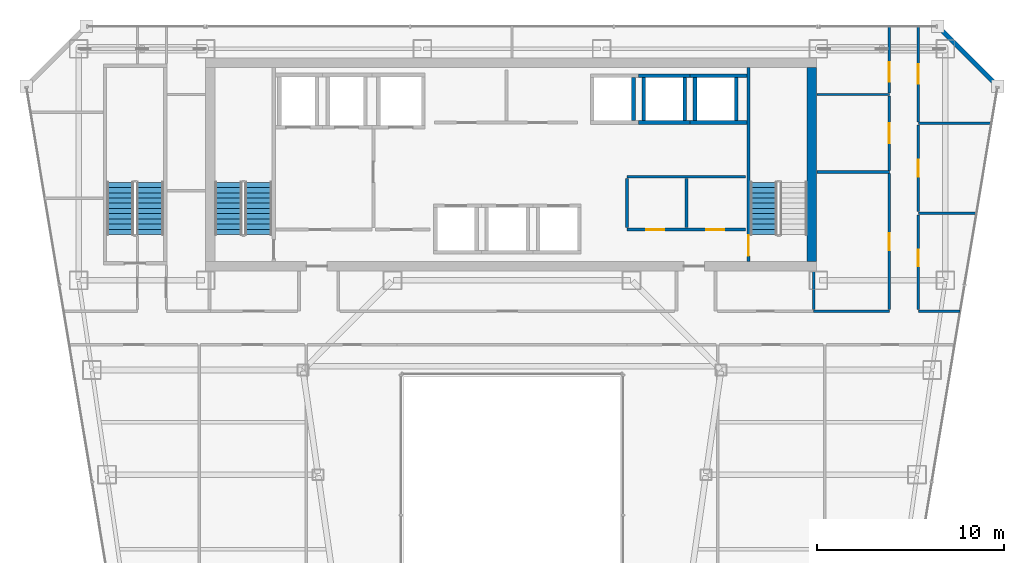
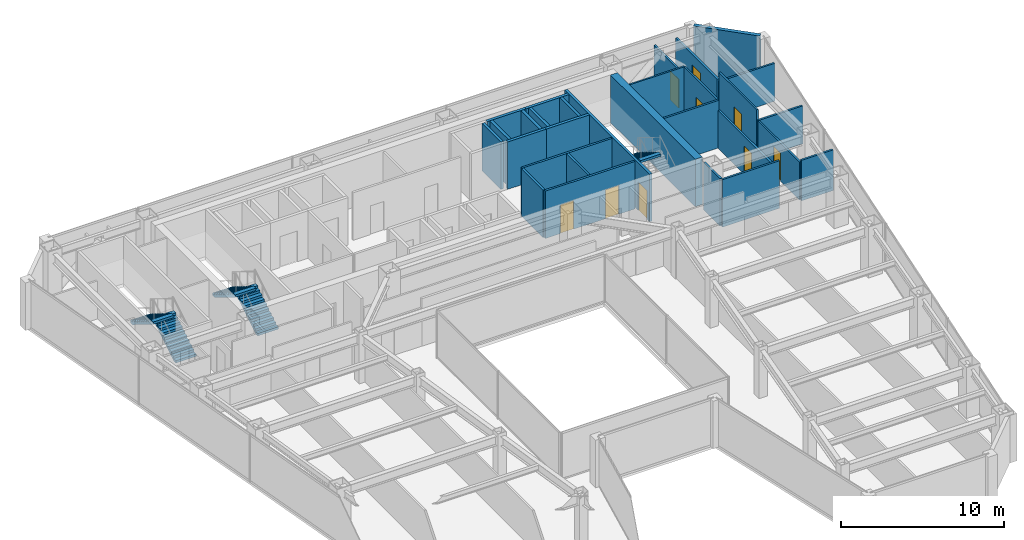
# One storey, part 34 of 38: 29 walls, 9 doors, 5 stair flights, 9 openings, 3 elements without a shape of their own.
"""IFC4 building model written with IfcOpenShell, lengths in metres."""

from ifc_helpers import new_model, si_unit, direction, frame, frame_2d, origin, place, context, subcontext, project, spatial, polyline, rectangle, outline, extrude, material, layer, layer_set, type_object, element, fill, aggregate, save


model = new_model("IFC4")

# Units and contexts
model_context = context("Model", 3, precision=1e-05, world=origin(), true_north=direction((0.0, 1.0)))
body_context = subcontext(model_context, "Body", "Model", "MODEL_VIEW")
ifc_project = project(units=[si_unit("LENGTHUNIT", "METRE"), si_unit("AREAUNIT", "SQUARE_METRE"), si_unit("VOLUMEUNIT", "CUBIC_METRE"), si_unit("PLANEANGLEUNIT", "RADIAN"), si_unit("MASSUNIT", "GRAM", prefix="KILO")], contexts=[model_context])

# Site, building, storey
site_placement = place(None, origin())
site = spatial("IfcSite", under=ifc_project, at=site_placement, CompositionType="ELEMENT")
building_placement = place(site_placement, origin())
building = spatial("IfcBuilding", under=site, at=building_placement, Name="Saevonmaru Cultural Tower", CompositionType="ELEMENT")
storey_placement = place(building_placement, frame((0.0, 0.0, 137.199951171875)))
storey = spatial("IfcBuildingStorey", under=building, at=storey_placement, Name="L29", CompositionType="ELEMENT", Elevation=137.199951171875)

# Wall
ifc_material_1 = material(Name="Concrete C60/75", Category="concrete")
ifc_layer_1 = layer(ifc_material_1, 0.5, Name="Concrete C60/75")
ifc_layer_set_1 = layer_set([ifc_layer_1], Name="Concrete C60/75")
wall_type_1 = type_object("IfcWallType", Name="WL-CORE-500", PredefinedType="SHEAR", material=ifc_layer_set_1)
wall_1_placement = place(storey_placement, frame((46.050048828125, 43.39990234375, 0.0), z_axis=(0.0, 0.0, 1.0), x_axis=(0.0, 1.0, 0.0)))
element("IfcWall", 1, at=wall_1_placement, inside=storey, type_object=wall_type_1, Name="L29 Tower RC core shear wall E", PredefinedType="SHEAR", context=body_context, shape_type="SweptSolid", body=[
    extrude(rectangle(XDim=10.400146484375, YDim=0.5, at=frame_2d((5.2001953125, 0.0))), origin(), (0.0, 0.0, 1.0), 3.550048828125),
])

# Wall, openings, doors
ifc_material_2 = material(Name="Gypsum Fireboard Partition", Category="gypsum")
ifc_layer_2 = layer(ifc_material_2, 0.14990234375, Name="Gypsum Fireboard Partition")
ifc_layer_set_2 = layer_set([ifc_layer_2], Name="Gypsum Fireboard Partition")
wall_type_2 = type_object("IfcWallType", Name="WL-CORE-PART-150", PredefinedType="PARTITIONING", material=ifc_layer_set_2)
wall_2_placement = place(storey_placement, frame((36.14990234375, 45.1201171875, 0.0), z_axis=(0.0, 0.0, 1.0), x_axis=(1.0, 0.0, 0.0)))
wall_2 = element("IfcWall", 2, at=wall_2_placement, inside=storey, type_object=wall_type_2, Name="L29 Core Cluster South Wall", PredefinedType="PARTITIONING", context=body_context, shape_type="SweptSolid", body=[
    extrude(rectangle(XDim=6.35009765625, YDim=0.14990234375, at=frame_2d((3.175048828125, 0.0))), origin(), (0.0, 0.0, 1.0), 3.550048828125),
])
opening_1_placement = place(wall_2_placement, frame((1.050048828125, 0.0, 0.0)))
opening_1 = element("IfcOpeningElement", 3, at=opening_1_placement, cuts=wall_2, Name="Opening FD-4", PredefinedType="OPENING", context=body_context, shape_type="SweptSolid", body=[
    extrude(rectangle(XDim=0.949951171875, YDim=2.14990234375, at=frame_2d((0.47509765625, 1.074951171875))), frame((0.0, 0.0849609375, 0.0), z_axis=(0.0, -1.0, 0.0), x_axis=(1.0, 0.0, 0.0)), (0.0, 0.0, 1.0), 0.169921875),
])
opening_2_placement = place(wall_2_placement, frame((4.25, 0.0, 0.0)))
opening_2 = element("IfcOpeningElement", 4, at=opening_2_placement, cuts=wall_2, Name="Opening FD-4", PredefinedType="OPENING", context=body_context, shape_type="SweptSolid", body=[
    extrude(rectangle(XDim=0.949951171875, YDim=2.14990234375, at=frame_2d((0.47509765625, 1.074951171875))), frame((0.0, 0.0849609375, 0.0), z_axis=(0.0, -1.0, 0.0), x_axis=(1.0, 0.0, 0.0)), (0.0, 0.0, 1.0), 0.169921875),
])
ifc_material_3 = material(Name="Satin Bronze Anodised Aluminium", Category="aluminium")
door_type_1 = type_object("IfcDoorType", Name="DR-FD60-950", OperationType="SINGLE_SWING_LEFT", PredefinedType="DOOR", material=ifc_material_3)
door_1_placement = place(opening_1_placement, origin())
door_1 = element("IfcDoor", 5, at=door_1_placement, inside=storey, type_object=door_type_1, Name="L29 BMS Control Room Door", OperationType="SINGLE_SWING_LEFT", OverallHeight=2.14990234375, OverallWidth=0.949951171875, PredefinedType="DOOR", context=body_context, shape_type="SweptSolid", body=[
    extrude(rectangle(XDim=0.949951171875, YDim=2.14990234375, at=frame_2d((0.47509765625, 1.074951171875))), frame((0.0, 0.02490234375, 0.0), z_axis=(0.0, -1.0, 0.0), x_axis=(1.0, 0.0, 0.0)), (0.0, 0.0, 1.0), 0.050048828125),
])
fill(opening_1, door_1)
door_2_placement = place(opening_2_placement, origin())
door_2 = element("IfcDoor", 6, at=door_2_placement, inside=storey, type_object=door_type_1, Name="L29 Fibre Node Plant Door", OperationType="SINGLE_SWING_LEFT", OverallHeight=2.14990234375, OverallWidth=0.949951171875, PredefinedType="DOOR", context=body_context, shape_type="SweptSolid", body=[
    extrude(rectangle(XDim=0.949951171875, YDim=2.14990234375, at=frame_2d((0.47509765625, 1.074951171875))), frame((0.0, 0.02490234375, 0.0), z_axis=(0.0, -1.0, 0.0), x_axis=(1.0, 0.0, 0.0)), (0.0, 0.0, 1.0), 0.050048828125),
])
fill(opening_2, door_2)

# Walls
wall_3_placement = place(storey_placement, frame((36.14990234375, 47.949951171875, 0.0), z_axis=(0.0, 0.0, 1.0), x_axis=(1.0, 0.0, 0.0)))
element("IfcWall", 7, at=wall_3_placement, inside=storey, type_object=wall_type_2, Name="L29 Core Cluster North Wall", PredefinedType="PARTITIONING", context=body_context, shape_type="SweptSolid", body=[
    extrude(rectangle(XDim=6.35009765625, YDim=0.14990234375, at=frame_2d((3.175048828125, 0.0))), origin(), (0.0, 0.0, 1.0), 3.550048828125),
])
for number, where, z_axis, x_axis, name in (
    (8, (36.14990234375, 45.219970703125, 0.0), (0.0, 0.0, 1.0), (0.0, 1.0, 0.0), "L29 Core Cluster West Wall"),
    (9, (39.35009765625, 45.219970703125, 0.0), (0.0, 0.0, 1.0), (0.0, 1.0, 0.0), "L29 Core Cluster Inner Split"),
):
    element("IfcWall", number, at=place(storey_placement, frame(where, z_axis=z_axis, x_axis=x_axis)), inside=storey, type_object=wall_type_2, Name=name, PredefinedType="PARTITIONING", context=body_context, shape_type="SweptSolid", body=[
        extrude(rectangle(XDim=2.630126953125, YDim=0.14990234375, at=frame_2d((1.31494140625, 0.0))), origin(), (0.0, 0.0, 1.0), 3.550048828125),
    ])
ifc_material_4 = material(Name="Granite-Clad Precast Concrete C40/50", Category="masonry")
ifc_layer_3 = layer(ifc_material_4, 0.260009765625, Name="Granite-Clad Precast Concrete C40/50")
ifc_layer_set_3 = layer_set([ifc_layer_3], Name="Granite-Clad Precast Concrete C40/50")
wall_type_3 = type_object("IfcWallType", Name="WL-EXT-SPANDREL-260", PredefinedType="STANDARD", material=ifc_layer_set_3)
wall_4_placement = place(storey_placement, frame((55.886962890625, 52.9130859375, 0.0), z_axis=(0.0, 0.0, 1.0), x_axis=(-0.707106781187, 0.707106781187, 0.0)))
element("IfcWall", 10, at=wall_4_placement, inside=storey, type_object=wall_type_3, Name="L29 Chamfer Corner Spandrel Wall E9", PredefinedType="STANDARD", context=body_context, shape_type="SweptSolid", body=[
    extrude(rectangle(XDim=4.205810546875, YDim=0.260009765625, at=frame_2d((2.10302734375, 0.0))), origin(), (0.0, 0.0, 1.0), 3.550048828125),
])

# Wall, opening, door
ifc_layer_4 = layer(ifc_material_2, 0.14990234375, Name="Gypsum Fireboard Partition")
ifc_layer_set_4 = layer_set([ifc_layer_4], Name="Gypsum Fireboard Partition")
wall_type_4 = type_object("IfcWallType", Name="WL-PART-FIRE-150", PredefinedType="PARTITIONING", material=ifc_layer_set_4)
wall_5_placement = place(storey_placement, frame((51.75, 50.887451171875, 0.0), z_axis=(0.0, 0.0, 1.0), x_axis=(0.0, 1.0, 0.0)))
wall_5 = element("IfcWall", 11, at=wall_5_placement, inside=storey, type_object=wall_type_4, Name="L29 East Asian Ceramics Gallery Corridor Wall", PredefinedType="PARTITIONING", context=body_context, shape_type="SweptSolid", body=[
    extrude(rectangle(XDim=5.107666015625, YDim=0.14990234375, at=frame_2d((2.5537109375, 0.0))), origin(), (0.0, 0.0, 1.0), 2.93505859375),
])
opening_3_placement = place(wall_5_placement, frame((2.029052734375, 0.0, 0.0)))
opening_3 = element("IfcOpeningElement", 12, at=opening_3_placement, cuts=wall_5, Name="Opening ID-1", PredefinedType="OPENING", context=body_context, shape_type="SweptSolid", body=[
    extrude(rectangle(XDim=1.050048828125, YDim=2.14990234375, at=frame_2d((0.52490234375, 1.074951171875))), frame((0.0, 0.0849609375, 0.0), z_axis=(0.0, -1.0, 0.0), x_axis=(1.0, 0.0, 0.0)), (0.0, 0.0, 1.0), 0.169921875),
])
door_type_2 = type_object("IfcDoorType", Name="DR-INT-1050", OperationType="SINGLE_SWING_LEFT", PredefinedType="DOOR", material=ifc_material_3)
door_3_placement = place(opening_3_placement, origin())
door_3 = element("IfcDoor", 13, at=door_3_placement, inside=storey, type_object=door_type_2, Name="L29 East Asian Ceramics Gallery Door", OperationType="SINGLE_SWING_LEFT", OverallHeight=2.14990234375, OverallWidth=1.050048828125, PredefinedType="DOOR", context=body_context, shape_type="SweptSolid", body=[
    extrude(rectangle(XDim=1.050048828125, YDim=2.14990234375, at=frame_2d((0.52490234375, 1.074951171875))), frame((0.0, 0.02490234375, 0.0), z_axis=(0.0, -1.0, 0.0), x_axis=(1.0, 0.0, 0.0)), (0.0, 0.0, 1.0), 0.050048828125),
])
fill(opening_3, door_3)

# Wall
ifc_layer_5 = layer(ifc_material_2, 0.1201171875, Name="Gypsum Fireboard Partition")
ifc_layer_set_5 = layer_set([ifc_layer_5], Name="Gypsum Fireboard Partition")
wall_type_5 = type_object("IfcWallType", Name="WL-PART-GYP-120", PredefinedType="PARTITIONING", material=ifc_layer_set_5)
wall_6_placement = place(storey_placement, frame((46.320068359375, 52.35009765625, 0.0), z_axis=(0.0, 0.0, 1.0), x_axis=(1.0, 0.0, 0.0)))
element("IfcWall", 14, at=wall_6_placement, inside=storey, type_object=wall_type_5, Name="L29 North-East Panorama South Wall", PredefinedType="PARTITIONING", context=body_context, shape_type="SweptSolid", body=[
    extrude(rectangle(XDim=3.8798828125, YDim=0.1201171875, at=frame_2d((1.93994140625, 0.0))), origin(), (0.0, 0.0, 1.0), 3.550048828125),
])

# Wall, opening, door
wall_7_placement = place(storey_placement, frame((50.199951171875, 48.2900390625, 0.0), z_axis=(0.0, 0.0, 1.0), x_axis=(0.0, 1.0, 0.0)))
wall_7 = element("IfcWall", 15, at=wall_7_placement, inside=storey, type_object=wall_type_5, Name="L29 Rare Folio Reading Room Corridor Wall", PredefinedType="PARTITIONING", context=body_context, shape_type="SweptSolid", body=[
    extrude(rectangle(XDim=3.97998046875, YDim=0.1201171875, at=frame_2d((1.989990234375, 0.0))), origin(), (0.0, 0.0, 1.0), 3.550048828125),
])
opening_4_placement = place(wall_7_placement, frame((1.465087890625, 0.0, 0.0)))
opening_4 = element("IfcOpeningElement", 16, at=opening_4_placement, cuts=wall_7, Name="Opening ID-1", PredefinedType="OPENING", context=body_context, shape_type="SweptSolid", body=[
    extrude(rectangle(XDim=1.050048828125, YDim=2.14990234375, at=frame_2d((0.52490234375, 1.074951171875))), frame((0.0, 0.070068359375, 0.0), z_axis=(0.0, -1.0, 0.0), x_axis=(1.0, 0.0, 0.0)), (0.0, 0.0, 1.0), 0.14013671875),
])
door_4_placement = place(opening_4_placement, origin())
door_4 = element("IfcDoor", 17, at=door_4_placement, inside=storey, type_object=door_type_2, Name="L29 Rare Folio Reading Room Door", OperationType="SINGLE_SWING_LEFT", OverallHeight=2.14990234375, OverallWidth=1.050048828125, PredefinedType="DOOR", context=body_context, shape_type="SweptSolid", body=[
    extrude(rectangle(XDim=1.050048828125, YDim=2.14990234375, at=frame_2d((0.52490234375, 1.074951171875))), frame((0.0, 0.02490234375, 0.0), z_axis=(0.0, -1.0, 0.0), x_axis=(1.0, 0.0, 0.0)), (0.0, 0.0, 1.0), 0.050048828125),
])
fill(opening_4, door_4)

wall_8_placement = place(storey_placement, frame((50.199951171875, 52.429931640625, 0.0), z_axis=(0.0, 0.0, 1.0), x_axis=(0.0, 1.0, 0.0)))
wall_8 = element("IfcWall", 18, at=wall_8_placement, inside=storey, type_object=wall_type_5, Name="L29 Art History Reading Room Corridor Wall", PredefinedType="PARTITIONING", context=body_context, shape_type="SweptSolid", body=[
    extrude(rectangle(XDim=3.565185546875, YDim=0.1201171875, at=frame_2d((1.78271484375, 0.0))), origin(), (0.0, 0.0, 1.0), 2.93505859375),
])
opening_5_placement = place(wall_8_placement, frame((0.596923828125, 0.0, 0.0)))
opening_5 = element("IfcOpeningElement", 19, at=opening_5_placement, cuts=wall_8, Name="Opening ID-1", PredefinedType="OPENING", context=body_context, shape_type="SweptSolid", body=[
    extrude(rectangle(XDim=1.050048828125, YDim=2.14990234375, at=frame_2d((0.52490234375, 1.074951171875))), frame((0.0, 0.070068359375, 0.0), z_axis=(0.0, -1.0, 0.0), x_axis=(1.0, 0.0, 0.0)), (0.0, 0.0, 1.0), 0.14013671875),
])
door_5_placement = place(opening_5_placement, origin())
door_5 = element("IfcDoor", 20, at=door_5_placement, inside=storey, type_object=door_type_2, Name="L29 Art History Reading Room Door", OperationType="SINGLE_SWING_RIGHT", OverallHeight=2.14990234375, OverallWidth=1.050048828125, PredefinedType="DOOR", context=body_context, shape_type="SweptSolid", body=[
    extrude(rectangle(XDim=1.050048828125, YDim=2.14990234375, at=frame_2d((0.52490234375, 1.074951171875))), frame((0.0, 0.02490234375, 0.0), z_axis=(0.0, -1.0, 0.0), x_axis=(1.0, 0.0, 0.0)), (0.0, 0.0, 1.0), 0.050048828125),
])
fill(opening_5, door_5)

wall_9_placement = place(storey_placement, frame((51.75, 40.83740234375, 0.0), z_axis=(0.0, 0.0, 1.0), x_axis=(0.0, 1.0, 0.0)))
wall_9 = element("IfcWall", 21, at=wall_9_placement, inside=storey, type_object=wall_type_5, Name="L29 Calligraphy Teaching Studio Corridor Wall", PredefinedType="PARTITIONING", context=body_context, shape_type="SweptSolid", body=[
    extrude(rectangle(XDim=5.0751953125, YDim=0.1201171875, at=frame_2d((2.53759765625, 0.0))), origin(), (0.0, 0.0, 1.0), 2.8349609375),
])
opening_6_placement = place(wall_9_placement, frame((2.30810546875, 0.0, 0.0)))
opening_6 = element("IfcOpeningElement", 22, at=opening_6_placement, cuts=wall_9, Name="Opening ID-2", PredefinedType="OPENING", context=body_context, shape_type="SweptSolid", body=[
    extrude(rectangle(XDim=0.89990234375, YDim=2.10009765625, at=frame_2d((0.449951171875, 1.050048828125))), frame((0.0, 0.070068359375, 0.0), z_axis=(0.0, -1.0, 0.0), x_axis=(1.0, 0.0, 0.0)), (0.0, 0.0, 1.0), 0.14013671875),
])
ifc_material_5 = material(Name="Acoustic Stained Oak Timber", Category="wood")
door_type_3 = type_object("IfcDoorType", Name="DR-INT-900", OperationType="SINGLE_SWING_RIGHT", PredefinedType="DOOR", material=ifc_material_5)
door_6_placement = place(opening_6_placement, origin())
door_6 = element("IfcDoor", 23, at=door_6_placement, inside=storey, type_object=door_type_3, Name="L29 Calligraphy Teaching Studio Door", OperationType="SINGLE_SWING_LEFT", OverallHeight=2.10009765625, OverallWidth=0.89990234375, PredefinedType="DOOR", context=body_context, shape_type="SweptSolid", body=[
    extrude(rectangle(XDim=0.89990234375, YDim=2.10009765625, at=frame_2d((0.449951171875, 1.050048828125))), frame((0.0, 0.02490234375, 0.0), z_axis=(0.0, -1.0, 0.0), x_axis=(1.0, 0.0, 0.0)), (0.0, 0.0, 1.0), 0.050048828125),
])
fill(opening_6, door_6)

wall_10_placement = place(storey_placement, frame((51.75, 46.08740234375, 0.0), z_axis=(0.0, 0.0, 1.0), x_axis=(0.0, 1.0, 0.0)))
wall_10 = element("IfcWall", 24, at=wall_10_placement, inside=storey, type_object=wall_type_5, Name="L29 Curatorial Board Meeting Room Corridor Wall", PredefinedType="PARTITIONING", context=body_context, shape_type="SweptSolid", body=[
    extrude(rectangle(XDim=4.625, YDim=0.1201171875, at=frame_2d((2.3125, 0.0))), origin(), (0.0, 0.0, 1.0), 3.550048828125),
])
opening_7_placement = place(wall_10_placement, frame((1.863037109375, 0.0, 0.0)))
opening_7 = element("IfcOpeningElement", 25, at=opening_7_placement, cuts=wall_10, Name="Opening ID-2", PredefinedType="OPENING", context=body_context, shape_type="SweptSolid", body=[
    extrude(rectangle(XDim=0.89990234375, YDim=2.10009765625, at=frame_2d((0.449951171875, 1.050048828125))), frame((0.0, 0.070068359375, 0.0), z_axis=(0.0, -1.0, 0.0), x_axis=(1.0, 0.0, 0.0)), (0.0, 0.0, 1.0), 0.14013671875),
])
door_7_placement = place(opening_7_placement, origin())
door_7 = element("IfcDoor", 26, at=door_7_placement, inside=storey, type_object=door_type_3, Name="L29 Curatorial Board Meeting Room Door", OperationType="SINGLE_SWING_RIGHT", OverallHeight=2.10009765625, OverallWidth=0.89990234375, PredefinedType="DOOR", context=body_context, shape_type="SweptSolid", body=[
    extrude(rectangle(XDim=0.89990234375, YDim=2.10009765625, at=frame_2d((0.449951171875, 1.050048828125))), frame((0.0, 0.02490234375, 0.0), z_axis=(0.0, -1.0, 0.0), x_axis=(1.0, 0.0, 0.0)), (0.0, 0.0, 1.0), 0.050048828125),
])
fill(opening_7, door_7)

# Walls
ifc_layer_6 = layer(ifc_material_2, 0.135009765625, Name="Gypsum Fireboard Partition")
ifc_layer_set_6 = layer_set([ifc_layer_6], Name="Gypsum Fireboard Partition")
wall_type_6 = type_object("IfcWallType", Name="WL-PART-GYP-135", PredefinedType="PARTITIONING", material=ifc_layer_set_6)
wall_11_placement = place(storey_placement, frame((51.75, 40.75, 0.0), z_axis=(0.0, 0.0, 1.0), x_axis=(1.0, 0.0, 0.0)))
element("IfcWall", 27, at=wall_11_placement, inside=storey, type_object=wall_type_6, Name="L29 NE Wing South Wall", PredefinedType="PARTITIONING", context=body_context, shape_type="SweptSolid", body=[
    extrude(rectangle(XDim=2.24169921875, YDim=0.135009765625, at=frame_2d((1.120849609375, 0.0))), origin(), (0.0, 0.0, 1.0), 3.03515625),
])
wall_12_placement = place(storey_placement, frame((51.75, 46.0, 0.0), z_axis=(0.0, 0.0, 1.0), x_axis=(1.0, 0.0, 0.0)))
element("IfcWall", 28, at=wall_12_placement, inside=storey, type_object=wall_type_6, Name="L29 NE Studio Divider 1", PredefinedType="PARTITIONING", context=body_context, shape_type="SweptSolid", body=[
    extrude(rectangle(XDim=3.114501953125, YDim=0.135009765625, at=frame_2d((1.55712890625, 0.0))), origin(), (0.0, 0.0, 1.0), 2.8349609375),
])
wall_13_placement = place(storey_placement, frame((51.75, 50.800048828125, 0.0), z_axis=(0.0, 0.0, 1.0), x_axis=(1.0, 0.0, 0.0)))
element("IfcWall", 29, at=wall_13_placement, inside=storey, type_object=wall_type_6, Name="L29 NE Studio Divider 2", PredefinedType="PARTITIONING", context=body_context, shape_type="SweptSolid", body=[
    extrude(rectangle(XDim=3.912353515625, YDim=0.135009765625, at=frame_2d((1.9560546875, 0.0))), origin(), (0.0, 0.0, 1.0), 2.8349609375),
])
ifc_layer_7 = layer(ifc_material_2, 0.139892578125, Name="Gypsum Fireboard Partition")
ifc_layer_set_7 = layer_set([ifc_layer_7], Name="Gypsum Fireboard Partition")
wall_type_7 = type_object("IfcWallType", Name="WL-PART-WET-140", PredefinedType="PARTITIONING", material=ifc_layer_set_7)
wall_14_placement = place(storey_placement, frame((46.14990234375, 40.75, 0.0), z_axis=(0.0, 0.0, 1.0), x_axis=(1.0, 0.0, 0.0)))
element("IfcWall", 30, at=wall_14_placement, inside=storey, type_object=wall_type_7, Name="L29 Washroom South Wall", PredefinedType="PARTITIONING", context=body_context, shape_type="SweptSolid", body=[
    extrude(rectangle(XDim=4.050048828125, YDim=0.139892578125, at=frame_2d((2.02490234375, 0.0))), origin(), (0.0, 0.0, 1.0), 3.550048828125),
])
wall_15_placement = place(storey_placement, frame((46.14990234375, 40.840087890625, 0.0), z_axis=(0.0, 0.0, 1.0), x_axis=(0.0, 1.0, 0.0)))
element("IfcWall", 31, at=wall_15_placement, inside=storey, type_object=wall_type_7, Name="L29 Washroom South-West Return", PredefinedType="PARTITIONING", context=body_context, shape_type="SweptSolid", body=[
    extrude(rectangle(XDim=2.039794921875, YDim=0.139892578125, at=frame_2d((1.02001953125, 0.0))), origin(), (0.0, 0.0, 1.0), 3.550048828125),
])
wall_16_placement = place(storey_placement, frame((46.320068359375, 48.199951171875, 0.0), z_axis=(0.0, 0.0, 1.0), x_axis=(1.0, 0.0, 0.0)))
element("IfcWall", 32, at=wall_16_placement, inside=storey, type_object=wall_type_7, Name="L29 Washroom North Wall", PredefinedType="PARTITIONING", context=body_context, shape_type="SweptSolid", body=[
    extrude(rectangle(XDim=3.8798828125, YDim=0.139892578125, at=frame_2d((1.93994140625, 0.0))), origin(), (0.0, 0.0, 1.0), 3.550048828125),
])

# Wall, opening, door
wall_17_placement = place(storey_placement, frame((50.199951171875, 40.840087890625, 0.0), z_axis=(0.0, 0.0, 1.0), x_axis=(0.0, 1.0, 0.0)))
wall_17 = element("IfcWall", 33, at=wall_17_placement, inside=storey, type_object=wall_type_7, Name="L29 Washroom Corridor Wall", PredefinedType="PARTITIONING", context=body_context, shape_type="SweptSolid", body=[
    extrude(rectangle(XDim=7.27001953125, YDim=0.139892578125, at=frame_2d((3.635009765625, 0.0))), origin(), (0.0, 0.0, 1.0), 2.8349609375),
])
opening_8_placement = place(wall_17_placement, frame((3.18505859375, 0.0, 0.0)))
opening_8 = element("IfcOpeningElement", 34, at=opening_8_placement, cuts=wall_17, Name="Opening ID-2", PredefinedType="OPENING", context=body_context, shape_type="SweptSolid", body=[
    extrude(rectangle(XDim=0.89990234375, YDim=2.10009765625, at=frame_2d((0.449951171875, 1.050048828125))), frame((0.0, 0.080078125, 0.0), z_axis=(0.0, -1.0, 0.0), x_axis=(1.0, 0.0, 0.0)), (0.0, 0.0, 1.0), 0.159912109375),
])
door_8_placement = place(opening_8_placement, origin())
door_8 = element("IfcDoor", 35, at=door_8_placement, inside=storey, type_object=door_type_3, Name="L29 Public Accessible Washrooms Door", OperationType="SINGLE_SWING_RIGHT", OverallHeight=2.10009765625, OverallWidth=0.89990234375, PredefinedType="DOOR", context=body_context, shape_type="SweptSolid", body=[
    extrude(rectangle(XDim=0.89990234375, YDim=2.10009765625, at=frame_2d((0.449951171875, 1.050048828125))), frame((0.0, 0.02490234375, 0.0), z_axis=(0.0, -1.0, 0.0), x_axis=(1.0, 0.0, 0.0)), (0.0, 0.0, 1.0), 0.050048828125),
])
fill(opening_8, door_8)

# Walls
ifc_material_6 = material(Name="Concrete C40/50", Category="concrete")
ifc_layer_8 = layer(ifc_material_6, 0.199951171875, Name="Concrete C40/50")
ifc_layer_set_8 = layer_set([ifc_layer_8], Name="Concrete C40/50")
wall_type_8 = type_object("IfcWallType", Name="WL-SHAFT-200", PredefinedType="SHEAR", material=ifc_layer_set_8)
wall_18_placement = place(storey_placement, frame((36.5, 50.949951171875, 0.0), z_axis=(0.0, 0.0, 1.0), x_axis=(0.0, 1.0, 0.0)))
element("IfcWall", 36, at=wall_18_placement, inside=storey, type_object=wall_type_8, Name="L29 Lift PL-H1 Hoistway Wall E", PredefinedType="SHEAR", context=body_context, shape_type="SweptSolid", body=[
    extrude(rectangle(XDim=2.300048828125, YDim=0.199951171875, at=frame_2d((1.14990234375, 0.0))), origin(), (0.0, 0.0, 1.0), 3.550048828125),
])
for number, where, z_axis, x_axis, name in (
    (37, (36.77490234375, 50.85009765625, 0.0), (0.0, 0.0, 1.0), (1.0, 0.0, 0.0), "L29 Lift PL-H2 Hoistway Wall S"),
    (38, (36.77490234375, 53.35009765625, 0.0), (0.0, 0.0, 1.0), (1.0, 0.0, 0.0), "L29 Lift PL-H2 Hoistway Wall N"),
):
    element("IfcWall", number, at=place(storey_placement, frame(where, z_axis=z_axis, x_axis=x_axis)), inside=storey, type_object=wall_type_8, Name=name, PredefinedType="SHEAR", context=body_context, shape_type="SweptSolid", body=[
        extrude(rectangle(XDim=2.75, YDim=0.199951171875, at=frame_2d((1.375, 0.0))), origin(), (0.0, 0.0, 1.0), 3.550048828125),
    ])
for number, where, z_axis, x_axis, name in (
    (39, (37.050048828125, 50.949951171875, 0.0), (0.0, 0.0, 1.0), (0.0, 1.0, 0.0), "L29 Lift PL-H2 Hoistway Wall W"),
    (40, (39.25, 50.949951171875, 0.0), (0.0, 0.0, 1.0), (0.0, 1.0, 0.0), "L29 Lift PL-H2 Hoistway Wall E"),
):
    element("IfcWall", number, at=place(storey_placement, frame(where, z_axis=z_axis, x_axis=x_axis)), inside=storey, type_object=wall_type_8, Name=name, PredefinedType="SHEAR", context=body_context, shape_type="SweptSolid", body=[
        extrude(rectangle(XDim=2.300048828125, YDim=0.199951171875, at=frame_2d((1.14990234375, 0.0))), origin(), (0.0, 0.0, 1.0), 3.550048828125),
    ])
for number, where, z_axis, x_axis, name in (
    (41, (39.52490234375, 50.85009765625, 0.0), (0.0, 0.0, 1.0), (1.0, 0.0, 0.0), "L29 Lift PL-H3 Hoistway Wall S"),
    (42, (39.52490234375, 53.35009765625, 0.0), (0.0, 0.0, 1.0), (1.0, 0.0, 0.0), "L29 Lift PL-H3 Hoistway Wall N"),
):
    element("IfcWall", number, at=place(storey_placement, frame(where, z_axis=z_axis, x_axis=x_axis)), inside=storey, type_object=wall_type_8, Name=name, PredefinedType="SHEAR", context=body_context, shape_type="SweptSolid", body=[
        extrude(rectangle(XDim=3.045166015625, YDim=0.199951171875, at=frame_2d((1.5224609375, 0.0))), origin(), (0.0, 0.0, 1.0), 3.550048828125),
    ])
for number, where, z_axis, x_axis, name in (
    (43, (39.800048828125, 50.949951171875, 0.0), (0.0, 0.0, 1.0), (0.0, 1.0, 0.0), "L29 Lift PL-H3 Hoistway Wall W"),
    (44, (42.0, 50.949951171875, 0.0), (0.0, 0.0, 1.0), (0.0, 1.0, 0.0), "L29 Lift PL-H3 Hoistway Wall E"),
):
    element("IfcWall", number, at=place(storey_placement, frame(where, z_axis=z_axis, x_axis=x_axis)), inside=storey, type_object=wall_type_8, Name=name, PredefinedType="SHEAR", context=body_context, shape_type="SweptSolid", body=[
        extrude(rectangle(XDim=2.300048828125, YDim=0.199951171875, at=frame_2d((1.14990234375, 0.0))), origin(), (0.0, 0.0, 1.0), 3.550048828125),
    ])

# Wall, opening, door
ifc_layer_9 = layer(ifc_material_6, 0.179931640625, Name="Concrete C40/50")
ifc_layer_set_9 = layer_set([ifc_layer_9], Name="Concrete C40/50")
wall_type_9 = type_object("IfcWallType", Name="WL-STSHAFT-180", PredefinedType="SHEAR", material=ifc_layer_set_9)
wall_19_placement = place(storey_placement, frame((42.659912109375, 53.800048828125, 0.0), z_axis=(0.0, 0.0, 1.0), x_axis=(0.0, -1.0, 0.0)))
wall_19 = element("IfcWall", 45, at=wall_19_placement, inside=storey, type_object=wall_type_9, Name="L29 Stair ST-2 Structural Shaft Wall 1", PredefinedType="SHEAR", context=body_context, shape_type="SweptSolid", body=[
    extrude(rectangle(XDim=10.400146484375, YDim=0.179931640625, at=frame_2d((5.2001953125, 0.0))), origin(), (0.0, 0.0, 1.0), 3.550048828125),
])
opening_9_placement = place(wall_19_placement, frame((8.989990234375, 0.0, 0.0)))
opening_9 = element("IfcOpeningElement", 46, at=opening_9_placement, cuts=wall_19, Name="Opening FD-2", PredefinedType="OPENING", context=body_context, shape_type="SweptSolid", body=[
    extrude(rectangle(XDim=1.10009765625, YDim=2.14990234375, at=frame_2d((0.550048828125, 1.074951171875))), frame((0.0, 0.10009765625, 0.0), z_axis=(0.0, -1.0, 0.0), x_axis=(1.0, 0.0, 0.0)), (0.0, 0.0, 1.0), 0.199951171875),
])
door_type_4 = type_object("IfcDoorType", Name="DR-FD60-1100", OperationType="SINGLE_SWING_LEFT", PredefinedType="DOOR", material=ifc_material_3)
door_9_placement = place(opening_9_placement, origin())
door_9 = element("IfcDoor", 47, at=door_9_placement, inside=storey, type_object=door_type_4, Name="L29 Protected Stair ST-2 Fire Door", OperationType="SINGLE_SWING_LEFT", OverallHeight=2.14990234375, OverallWidth=1.10009765625, PredefinedType="DOOR", context=body_context, shape_type="SweptSolid", body=[
    extrude(rectangle(XDim=1.10009765625, YDim=2.14990234375, at=frame_2d((0.550048828125, 1.074951171875))), frame((0.0, 0.02490234375, 0.0), z_axis=(0.0, -1.0, 0.0), x_axis=(1.0, 0.0, 0.0)), (0.0, 0.0, 1.0), 0.050048828125),
])
fill(opening_9, door_9)

# Stair, stair flights
stair_type = type_object("IfcStairType", Name="STR-DOGLEG-RC", PredefinedType="HALF_TURN_STAIR", material=ifc_material_6)
stair_1_placement = place(storey_placement, origin())
stair_1 = element("IfcStair", 48, at=stair_1_placement, inside=storey, type_object=stair_type, Name="L29 Protected exit stair ST-1", PredefinedType="HALF_TURN_STAIR")
ifc_material_7 = material(Name="Precast concrete C40/50", Category="concrete")
stair_flight_type = type_object("IfcStairFlightType", Name="STF-PRECAST-180", PredefinedType="STRAIGHT", material=ifc_material_7)
stair_flight_1_placement = place(storey_placement, frame((16.425048828125, 44.85009765625, 0.0), z_axis=(0.0, 0.0, 1.0), x_axis=(0.0, 1.0, 0.0)))
stair_flight_1 = element("IfcStairFlight", 49, at=stair_flight_1_placement, type_object=stair_flight_type, Name="ST-1-L29 flight 1", NumberOfRisers=11, NumberOfTreads=10, PredefinedType="STRAIGHT", RiserHeight=0.172727273, TreadLength=0.28, context=body_context, shape_type="SweptSolid", body=[
    extrude(outline(polyline([(0.0, 0.0), (0.0, 0.172607421875), (0.280029296875, 0.172607421875), (0.280029296875, 0.345458984375), (0.56005859375, 0.345458984375), (0.56005859375, 0.51806640625), (0.840087890625, 0.51806640625), (0.840087890625, 0.69091796875), (1.1201171875, 0.69091796875), (1.1201171875, 0.863525390625), (1.39990234375, 0.863525390625), (1.39990234375, 1.036376953125), (1.679931640625, 1.036376953125), (1.679931640625, 1.208984375), (1.9599609375, 1.208984375), (1.9599609375, 1.3818359375), (2.239990234375, 1.3818359375), (2.239990234375, 1.554443359375), (2.52001953125, 1.554443359375), (2.52001953125, 1.727294921875), (2.800048828125, 1.727294921875), (2.800048828125, 1.89990234375), (2.800048828125, 1.551025390625), (0.285400390625, 0.0), (0.0, 0.0)])), frame((0.0, 0.72509765625, 0.0), z_axis=(0.0, -1.0, 0.0), x_axis=(1.0, 0.0, 0.0)), (0.0, 0.0, 1.0), 1.449951171875),
])
stair_flight_2_placement = place(storey_placement, frame((14.824951171875, 47.64990234375, 1.900146484375), z_axis=(0.0, 0.0, 1.0), x_axis=(0.0, -1.0, 0.0)))
stair_flight_2 = element("IfcStairFlight", 50, at=stair_flight_2_placement, type_object=stair_flight_type, Name="ST-1-L29 flight 2", NumberOfRisers=11, NumberOfTreads=10, PredefinedType="STRAIGHT", RiserHeight=0.172727273, TreadLength=0.28, context=body_context, shape_type="SweptSolid", body=[
    extrude(outline(polyline([(0.0, 0.0), (0.0, 0.172607421875), (0.280029296875, 0.172607421875), (0.280029296875, 0.345458984375), (0.56005859375, 0.345458984375), (0.56005859375, 0.51806640625), (0.840087890625, 0.51806640625), (0.840087890625, 0.69091796875), (1.1201171875, 0.69091796875), (1.1201171875, 0.863525390625), (1.39990234375, 0.863525390625), (1.39990234375, 1.036376953125), (1.679931640625, 1.036376953125), (1.679931640625, 1.208984375), (1.9599609375, 1.208984375), (1.9599609375, 1.3818359375), (2.239990234375, 1.3818359375), (2.239990234375, 1.554443359375), (2.52001953125, 1.554443359375), (2.52001953125, 1.727294921875), (2.800048828125, 1.727294921875), (2.800048828125, 1.89990234375), (2.800048828125, 1.551025390625), (0.285400390625, 0.0), (0.0, 0.0)])), frame((0.0, 0.72509765625, 0.0), z_axis=(0.0, -1.0, 0.0), x_axis=(1.0, 0.0, 0.0)), (0.0, 0.0, 1.0), 1.449951171875),
])
aggregate(stair_1, [stair_flight_1, stair_flight_2])

# Stair, stair flight
stair_2_placement = place(storey_placement, origin())
stair_2 = element("IfcStair", 51, at=stair_2_placement, inside=storey, type_object=stair_type, Name="L29 Protected exit stair ST-2", PredefinedType="HALF_TURN_STAIR")
stair_flight_3_placement = place(storey_placement, frame((43.47509765625, 47.64990234375, 1.900146484375), z_axis=(0.0, 0.0, 1.0), x_axis=(0.0, -1.0, 0.0)))
stair_flight_3 = element("IfcStairFlight", 52, at=stair_flight_3_placement, type_object=stair_flight_type, Name="ST-2-L29 flight 2", NumberOfRisers=11, NumberOfTreads=10, PredefinedType="STRAIGHT", RiserHeight=0.172727273, TreadLength=0.28, context=body_context, shape_type="SweptSolid", body=[
    extrude(outline(polyline([(0.0, 0.0), (0.0, 0.172607421875), (0.280029296875, 0.172607421875), (0.280029296875, 0.345458984375), (0.56005859375, 0.345458984375), (0.56005859375, 0.51806640625), (0.840087890625, 0.51806640625), (0.840087890625, 0.69091796875), (1.1201171875, 0.69091796875), (1.1201171875, 0.863525390625), (1.39990234375, 0.863525390625), (1.39990234375, 1.036376953125), (1.679931640625, 1.036376953125), (1.679931640625, 1.208984375), (1.9599609375, 1.208984375), (1.9599609375, 1.3818359375), (2.239990234375, 1.3818359375), (2.239990234375, 1.554443359375), (2.52001953125, 1.554443359375), (2.52001953125, 1.727294921875), (2.800048828125, 1.727294921875), (2.800048828125, 1.89990234375), (2.800048828125, 1.551025390625), (0.285400390625, 0.0), (0.0, 0.0)])), frame((0.0, 0.72509765625, 0.0), z_axis=(0.0, -1.0, 0.0), x_axis=(1.0, 0.0, 0.0)), (0.0, 0.0, 1.0), 1.449951171875),
])
aggregate(stair_2, [stair_flight_3])

# Stair, stair flights
stair_3_placement = place(storey_placement, origin())
stair_3 = element("IfcStair", 53, at=stair_3_placement, inside=storey, type_object=stair_type, Name="L29 Protected exit stair ST-3", PredefinedType="HALF_TURN_STAIR")
stair_flight_4_placement = place(storey_placement, frame((10.625, 44.85009765625, 0.0), z_axis=(0.0, 0.0, 1.0), x_axis=(0.0, 1.0, 0.0)))
stair_flight_4 = element("IfcStairFlight", 54, at=stair_flight_4_placement, type_object=stair_flight_type, Name="ST-3-L29 flight 1", NumberOfRisers=11, NumberOfTreads=10, PredefinedType="STRAIGHT", RiserHeight=0.172727273, TreadLength=0.28, context=body_context, shape_type="SweptSolid", body=[
    extrude(outline(polyline([(0.0, 0.0), (0.0, 0.172607421875), (0.280029296875, 0.172607421875), (0.280029296875, 0.345458984375), (0.56005859375, 0.345458984375), (0.56005859375, 0.51806640625), (0.840087890625, 0.51806640625), (0.840087890625, 0.69091796875), (1.1201171875, 0.69091796875), (1.1201171875, 0.863525390625), (1.39990234375, 0.863525390625), (1.39990234375, 1.036376953125), (1.679931640625, 1.036376953125), (1.679931640625, 1.208984375), (1.9599609375, 1.208984375), (1.9599609375, 1.3818359375), (2.239990234375, 1.3818359375), (2.239990234375, 1.554443359375), (2.52001953125, 1.554443359375), (2.52001953125, 1.727294921875), (2.800048828125, 1.727294921875), (2.800048828125, 1.89990234375), (2.800048828125, 1.551025390625), (0.285400390625, 0.0), (0.0, 0.0)])), frame((0.0, 0.72509765625, 0.0), z_axis=(0.0, -1.0, 0.0), x_axis=(1.0, 0.0, 0.0)), (0.0, 0.0, 1.0), 1.449951171875),
])
stair_flight_5_placement = place(storey_placement, frame((9.02490234375, 47.64990234375, 1.900146484375), z_axis=(0.0, 0.0, 1.0), x_axis=(0.0, -1.0, 0.0)))
stair_flight_5 = element("IfcStairFlight", 55, at=stair_flight_5_placement, type_object=stair_flight_type, Name="ST-3-L29 flight 2", NumberOfRisers=11, NumberOfTreads=10, PredefinedType="STRAIGHT", RiserHeight=0.172727273, TreadLength=0.28, context=body_context, shape_type="SweptSolid", body=[
    extrude(outline(polyline([(0.0, 0.0), (0.0, 0.172607421875), (0.280029296875, 0.172607421875), (0.280029296875, 0.345458984375), (0.56005859375, 0.345458984375), (0.56005859375, 0.51806640625), (0.840087890625, 0.51806640625), (0.840087890625, 0.69091796875), (1.1201171875, 0.69091796875), (1.1201171875, 0.863525390625), (1.39990234375, 0.863525390625), (1.39990234375, 1.036376953125), (1.679931640625, 1.036376953125), (1.679931640625, 1.208984375), (1.9599609375, 1.208984375), (1.9599609375, 1.3818359375), (2.239990234375, 1.3818359375), (2.239990234375, 1.554443359375), (2.52001953125, 1.554443359375), (2.52001953125, 1.727294921875), (2.800048828125, 1.727294921875), (2.800048828125, 1.89990234375), (2.800048828125, 1.551025390625), (0.285400390625, 0.0), (0.0, 0.0)])), frame((0.0, 0.72509765625, 0.0), z_axis=(0.0, -1.0, 0.0), x_axis=(1.0, 0.0, 0.0)), (0.0, 0.0, 1.0), 1.449951171875),
])
aggregate(stair_3, [stair_flight_4, stair_flight_5])

save(model, "model.ifc")
